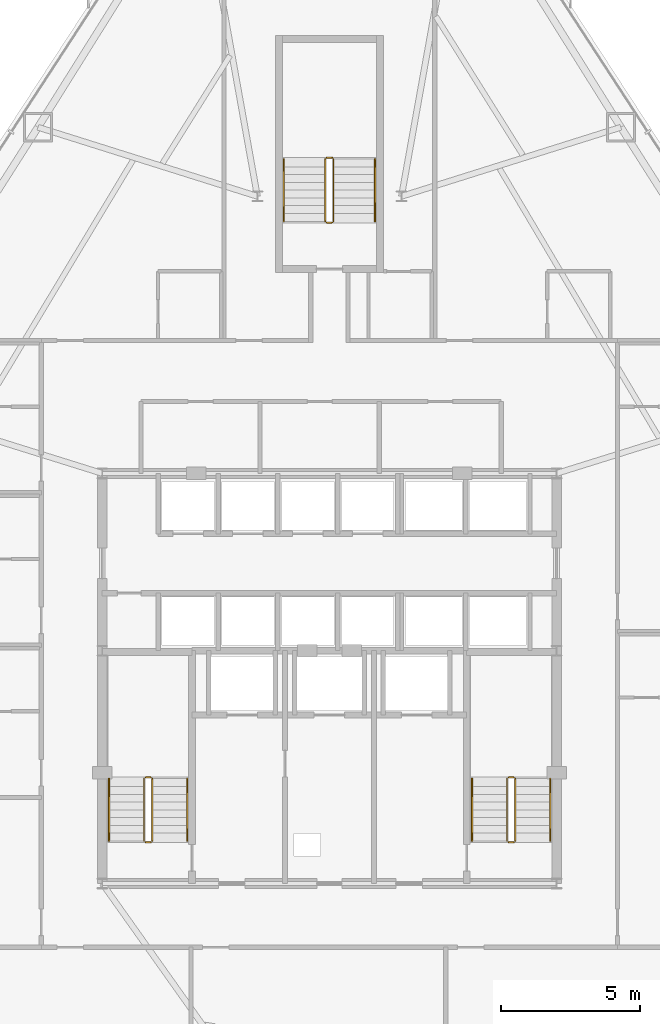
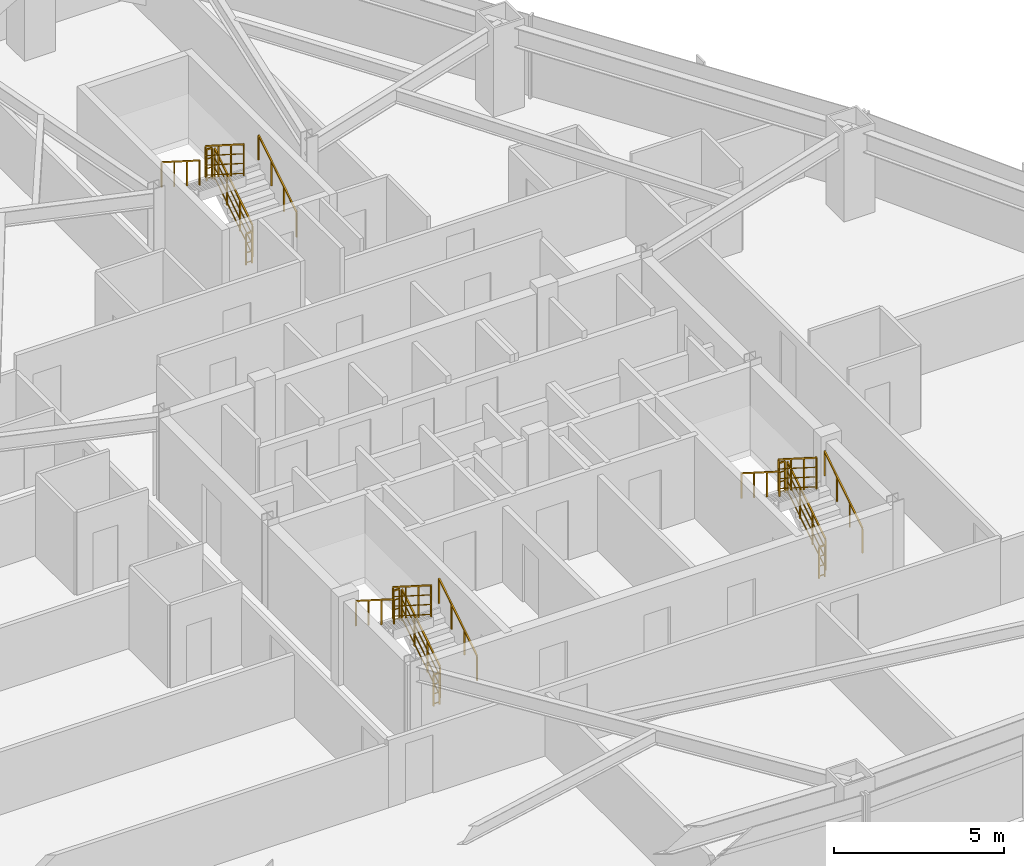
# One storey, part 12 of 12: 18 railings.
"""IFC4 building model written with IfcOpenShell, lengths in metres."""

from ifc_helpers import new_model, si_unit, direction, frame, origin, origin_2d, place, context, subcontext, project, spatial, rectangle, extrude, material, type_object, element, save


model = new_model("IFC4")

# Units and contexts
model_context = context("Model", 3, precision=1e-05, world=origin(), true_north=direction((0.0, 1.0)))
body_context = subcontext(model_context, "Body", "Model", "MODEL_VIEW")
ifc_project = project(units=[si_unit("LENGTHUNIT", "METRE"), si_unit("AREAUNIT", "SQUARE_METRE"), si_unit("VOLUMEUNIT", "CUBIC_METRE"), si_unit("PLANEANGLEUNIT", "RADIAN"), si_unit("MASSUNIT", "GRAM", prefix="KILO")], contexts=[model_context])

# Site, building, storey
site_placement = place(None, origin())
site = spatial("IfcSite", under=ifc_project, at=site_placement, CompositionType="ELEMENT")
building_placement = place(site_placement, origin())
building = spatial("IfcBuilding", under=site, at=building_placement, Name="Varakhsha Concourse Tower", CompositionType="ELEMENT")
storey_placement = place(building_placement, frame((0.0, 0.0, 73.39990234375)))
storey = spatial("IfcBuildingStorey", under=building, at=storey_placement, Name="L20", CompositionType="ELEMENT", Elevation=73.39990234375)

# Railings
ifc_material = material(Name="Brushed Austenitic Stainless Steel AISI 316", Category="steel")
railing_type_1 = type_object("IfcRailingType", Name="RL-STAIR-GUARD-1100", PredefinedType="GUARDRAIL", material=ifc_material)
railing_1_placement = place(storey_placement, frame((33.610107421875, 17.93994140625, 0.177978515625)))
element("IfcRailing", 1, at=railing_1_placement, inside=storey, type_object=railing_type_1, Name="L20 ST1 stair guard 1", PredefinedType="GUARDRAIL", context=body_context, shape_type="SweptSolid", body=[
    extrude(rectangle(XDim=0.048095703125, YDim=0.048095703125, at=origin_2d()), frame((0.0, 0.0, 1.1259765625), z_axis=(0.0, 0.8442293374, 0.53598211339), x_axis=(-1.0, 0.0, 0.0)), (0.0, 0.0, 1.0), 2.6533203125),
    extrude(rectangle(XDim=0.028076171875, YDim=0.028076171875, at=origin_2d()), frame((0.0, 0.0, 0.080078125), z_axis=(0.0, 0.8442293374, 0.53598211339), x_axis=(-1.0, 0.0, 0.0)), (0.0, 0.0, 1.0), 2.6533203125),
    extrude(rectangle(XDim=0.028076171875, YDim=0.028076171875, at=origin_2d()), frame((0.0, 0.0, 0.43701171875), z_axis=(0.0, 0.8442293374, 0.53598211339), x_axis=(-1.0, 0.0, 0.0)), (0.0, 0.0, 1.0), 2.6533203125),
    extrude(rectangle(XDim=0.028076171875, YDim=0.028076171875, at=origin_2d()), frame((0.0, 0.0, 0.781982421875), z_axis=(0.0, 0.8442293374, 0.53598211339), x_axis=(-1.0, 0.0, 0.0)), (0.0, 0.0, 1.0), 2.6533203125),
    extrude(rectangle(XDim=0.0419921875, YDim=0.0419921875, at=origin_2d()), origin(), (0.0, 0.0, 1.0), 1.101806640625),
    extrude(rectangle(XDim=0.0419921875, YDim=0.0419921875, at=origin_2d()), frame((0.0, 0.74658203125, 0.47412109375)), (0.0, 0.0, 1.0), 1.101806640625),
    extrude(rectangle(XDim=0.0419921875, YDim=0.0419921875, at=origin_2d()), frame((0.0, 1.493408203125, 0.947998046875)), (0.0, 0.0, 1.0), 1.101806640625),
    extrude(rectangle(XDim=0.0419921875, YDim=0.0419921875, at=origin_2d()), frame((0.0, 2.239990234375, 1.422119140625)), (0.0, 0.0, 1.0), 1.101806640625),
])
railing_2_placement = place(storey_placement, frame((33.56005859375, 20.22998046875, 1.60009765625)))
element("IfcRailing", 2, at=railing_2_placement, inside=storey, type_object=railing_type_1, Name="L20 ST1 stair guard 2", PredefinedType="GUARDRAIL", context=body_context, shape_type="SweptSolid", body=[
    extrude(rectangle(XDim=0.048095703125, YDim=0.048095703125, at=origin_2d()), frame((0.0, 0.0, 1.1259765625), z_axis=(-1.0, 0.0, 0.0), x_axis=(0.0, -1.0, 0.0)), (0.0, 0.0, 1.0), 0.199951171875),
    extrude(rectangle(XDim=0.028076171875, YDim=0.028076171875, at=origin_2d()), frame((0.0, 0.0, 0.080078125), z_axis=(-1.0, 0.0, 0.0), x_axis=(0.0, -1.0, 0.0)), (0.0, 0.0, 1.0), 0.199951171875),
    extrude(rectangle(XDim=0.028076171875, YDim=0.028076171875, at=origin_2d()), frame((0.0, 0.0, 0.43701171875), z_axis=(-1.0, 0.0, 0.0), x_axis=(0.0, -1.0, 0.0)), (0.0, 0.0, 1.0), 0.199951171875),
    extrude(rectangle(XDim=0.028076171875, YDim=0.028076171875, at=origin_2d()), frame((0.0, 0.0, 0.781982421875), z_axis=(-1.0, 0.0, 0.0), x_axis=(0.0, -1.0, 0.0)), (0.0, 0.0, 1.0), 0.199951171875),
    extrude(rectangle(XDim=0.0419921875, YDim=0.0419921875, at=origin_2d()), origin(), (0.0, 0.0, 1.0), 1.101806640625),
    extrude(rectangle(XDim=0.0419921875, YDim=0.0419921875, at=origin_2d()), frame((-0.199951171875, 0.0, 0.0)), (0.0, 0.0, 1.0), 1.101806640625),
])
railing_3_placement = place(storey_placement, frame((33.31005859375, 20.179931640625, 1.77783203125)))
element("IfcRailing", 3, at=railing_3_placement, inside=storey, type_object=railing_type_1, Name="L20 ST1 stair guard 3", PredefinedType="GUARDRAIL", context=body_context, shape_type="SweptSolid", body=[
    extrude(rectangle(XDim=0.048095703125, YDim=0.048095703125, at=origin_2d()), frame((0.0, 0.0, 1.1259765625), z_axis=(0.0, -0.84418770128, 0.536047689118), x_axis=(1.0, 0.0, 0.0)), (0.0, 0.0, 1.0), 2.6533203125),
    extrude(rectangle(XDim=0.028076171875, YDim=0.028076171875, at=origin_2d()), frame((0.0, 0.0, 0.080078125), z_axis=(0.0, -0.84418770128, 0.536047689118), x_axis=(1.0, 0.0, 0.0)), (0.0, 0.0, 1.0), 2.6533203125),
    extrude(rectangle(XDim=0.028076171875, YDim=0.028076171875, at=origin_2d()), frame((0.0, 0.0, 0.43701171875), z_axis=(0.0, -0.84418770128, 0.536047689118), x_axis=(1.0, 0.0, 0.0)), (0.0, 0.0, 1.0), 2.6533203125),
    extrude(rectangle(XDim=0.028076171875, YDim=0.028076171875, at=origin_2d()), frame((0.0, 0.0, 0.781982421875), z_axis=(0.0, -0.84418770128, 0.536047689118), x_axis=(1.0, 0.0, 0.0)), (0.0, 0.0, 1.0), 2.6533203125),
    extrude(rectangle(XDim=0.0419921875, YDim=0.0419921875, at=origin_2d()), origin(), (0.0, 0.0, 1.0), 1.101806640625),
    extrude(rectangle(XDim=0.0419921875, YDim=0.0419921875, at=origin_2d()), frame((0.0, -0.74658203125, 0.47412109375)), (0.0, 0.0, 1.0), 1.101806640625),
    extrude(rectangle(XDim=0.0419921875, YDim=0.0419921875, at=origin_2d()), frame((0.0, -1.493408203125, 0.9482421875)), (0.0, 0.0, 1.0), 1.101806640625),
    extrude(rectangle(XDim=0.0419921875, YDim=0.0419921875, at=origin_2d()), frame((0.0, -2.239990234375, 1.42236328125)), (0.0, 0.0, 1.0), 1.101806640625),
])
railing_4_placement = place(storey_placement, frame((33.56005859375, 17.889892578125, 0.0)))
element("IfcRailing", 4, at=railing_4_placement, inside=storey, type_object=railing_type_1, Name="L20 ST1 stair guard 4", PredefinedType="GUARDRAIL", context=body_context, shape_type="SweptSolid", body=[
    extrude(rectangle(XDim=0.048095703125, YDim=0.048095703125, at=origin_2d()), frame((0.0, 0.0, 1.1259765625), z_axis=(-1.0, 0.0, 0.0), x_axis=(0.0, -1.0, 0.0)), (0.0, 0.0, 1.0), 0.199951171875),
    extrude(rectangle(XDim=0.028076171875, YDim=0.028076171875, at=origin_2d()), frame((0.0, 0.0, 0.080078125), z_axis=(-1.0, 0.0, 0.0), x_axis=(0.0, -1.0, 0.0)), (0.0, 0.0, 1.0), 0.199951171875),
    extrude(rectangle(XDim=0.028076171875, YDim=0.028076171875, at=origin_2d()), frame((0.0, 0.0, 0.43701171875), z_axis=(-1.0, 0.0, 0.0), x_axis=(0.0, -1.0, 0.0)), (0.0, 0.0, 1.0), 0.199951171875),
    extrude(rectangle(XDim=0.028076171875, YDim=0.028076171875, at=origin_2d()), frame((0.0, 0.0, 0.781982421875), z_axis=(-1.0, 0.0, 0.0), x_axis=(0.0, -1.0, 0.0)), (0.0, 0.0, 1.0), 0.199951171875),
    extrude(rectangle(XDim=0.0419921875, YDim=0.0419921875, at=origin_2d()), origin(), (0.0, 0.0, 1.0), 1.101806640625),
    extrude(rectangle(XDim=0.0419921875, YDim=0.0419921875, at=origin_2d()), frame((-0.199951171875, 0.0, 0.0)), (0.0, 0.0, 1.0), 1.101806640625),
])
railing_5_placement = place(storey_placement, frame((46.7099609375, 17.93994140625, 0.177978515625)))
element("IfcRailing", 5, at=railing_5_placement, inside=storey, type_object=railing_type_1, Name="L20 ST2 stair guard 1", PredefinedType="GUARDRAIL", context=body_context, shape_type="SweptSolid", body=[
    extrude(rectangle(XDim=0.048095703125, YDim=0.048095703125, at=origin_2d()), frame((0.0, 0.0, 1.1259765625), z_axis=(0.0, 0.8442293374, 0.53598211339), x_axis=(-1.0, 0.0, 0.0)), (0.0, 0.0, 1.0), 2.6533203125),
    extrude(rectangle(XDim=0.028076171875, YDim=0.028076171875, at=origin_2d()), frame((0.0, 0.0, 0.080078125), z_axis=(0.0, 0.8442293374, 0.53598211339), x_axis=(-1.0, 0.0, 0.0)), (0.0, 0.0, 1.0), 2.6533203125),
    extrude(rectangle(XDim=0.028076171875, YDim=0.028076171875, at=origin_2d()), frame((0.0, 0.0, 0.43701171875), z_axis=(0.0, 0.8442293374, 0.53598211339), x_axis=(-1.0, 0.0, 0.0)), (0.0, 0.0, 1.0), 2.6533203125),
    extrude(rectangle(XDim=0.028076171875, YDim=0.028076171875, at=origin_2d()), frame((0.0, 0.0, 0.781982421875), z_axis=(0.0, 0.8442293374, 0.53598211339), x_axis=(-1.0, 0.0, 0.0)), (0.0, 0.0, 1.0), 2.6533203125),
    extrude(rectangle(XDim=0.0419921875, YDim=0.0419921875, at=origin_2d()), origin(), (0.0, 0.0, 1.0), 1.101806640625),
    extrude(rectangle(XDim=0.0419921875, YDim=0.0419921875, at=origin_2d()), frame((0.0, 0.74658203125, 0.47412109375)), (0.0, 0.0, 1.0), 1.101806640625),
    extrude(rectangle(XDim=0.0419921875, YDim=0.0419921875, at=origin_2d()), frame((0.0, 1.493408203125, 0.947998046875)), (0.0, 0.0, 1.0), 1.101806640625),
    extrude(rectangle(XDim=0.0419921875, YDim=0.0419921875, at=origin_2d()), frame((0.0, 2.239990234375, 1.422119140625)), (0.0, 0.0, 1.0), 1.101806640625),
])
railing_6_placement = place(storey_placement, frame((46.659912109375, 20.22998046875, 1.60009765625)))
element("IfcRailing", 6, at=railing_6_placement, inside=storey, type_object=railing_type_1, Name="L20 ST2 stair guard 2", PredefinedType="GUARDRAIL", context=body_context, shape_type="SweptSolid", body=[
    extrude(rectangle(XDim=0.048095703125, YDim=0.048095703125, at=origin_2d()), frame((0.0, 0.0, 1.1259765625), z_axis=(-1.0, 0.0, 0.0), x_axis=(0.0, -1.0, 0.0)), (0.0, 0.0, 1.0), 0.199951171875),
    extrude(rectangle(XDim=0.028076171875, YDim=0.028076171875, at=origin_2d()), frame((0.0, 0.0, 0.080078125), z_axis=(-1.0, 0.0, 0.0), x_axis=(0.0, -1.0, 0.0)), (0.0, 0.0, 1.0), 0.199951171875),
    extrude(rectangle(XDim=0.028076171875, YDim=0.028076171875, at=origin_2d()), frame((0.0, 0.0, 0.43701171875), z_axis=(-1.0, 0.0, 0.0), x_axis=(0.0, -1.0, 0.0)), (0.0, 0.0, 1.0), 0.199951171875),
    extrude(rectangle(XDim=0.028076171875, YDim=0.028076171875, at=origin_2d()), frame((0.0, 0.0, 0.781982421875), z_axis=(-1.0, 0.0, 0.0), x_axis=(0.0, -1.0, 0.0)), (0.0, 0.0, 1.0), 0.199951171875),
    extrude(rectangle(XDim=0.0419921875, YDim=0.0419921875, at=origin_2d()), origin(), (0.0, 0.0, 1.0), 1.101806640625),
    extrude(rectangle(XDim=0.0419921875, YDim=0.0419921875, at=origin_2d()), frame((-0.199951171875, 0.0, 0.0)), (0.0, 0.0, 1.0), 1.101806640625),
])
railing_7_placement = place(storey_placement, frame((46.409912109375, 20.179931640625, 1.77783203125)))
element("IfcRailing", 7, at=railing_7_placement, inside=storey, type_object=railing_type_1, Name="L20 ST2 stair guard 3", PredefinedType="GUARDRAIL", context=body_context, shape_type="SweptSolid", body=[
    extrude(rectangle(XDim=0.048095703125, YDim=0.048095703125, at=origin_2d()), frame((0.0, 0.0, 1.1259765625), z_axis=(0.0, -0.84418770128, 0.536047689118), x_axis=(1.0, 0.0, 0.0)), (0.0, 0.0, 1.0), 2.6533203125),
    extrude(rectangle(XDim=0.028076171875, YDim=0.028076171875, at=origin_2d()), frame((0.0, 0.0, 0.080078125), z_axis=(0.0, -0.84418770128, 0.536047689118), x_axis=(1.0, 0.0, 0.0)), (0.0, 0.0, 1.0), 2.6533203125),
    extrude(rectangle(XDim=0.028076171875, YDim=0.028076171875, at=origin_2d()), frame((0.0, 0.0, 0.43701171875), z_axis=(0.0, -0.84418770128, 0.536047689118), x_axis=(1.0, 0.0, 0.0)), (0.0, 0.0, 1.0), 2.6533203125),
    extrude(rectangle(XDim=0.028076171875, YDim=0.028076171875, at=origin_2d()), frame((0.0, 0.0, 0.781982421875), z_axis=(0.0, -0.84418770128, 0.536047689118), x_axis=(1.0, 0.0, 0.0)), (0.0, 0.0, 1.0), 2.6533203125),
    extrude(rectangle(XDim=0.0419921875, YDim=0.0419921875, at=origin_2d()), origin(), (0.0, 0.0, 1.0), 1.101806640625),
    extrude(rectangle(XDim=0.0419921875, YDim=0.0419921875, at=origin_2d()), frame((0.0, -0.74658203125, 0.47412109375)), (0.0, 0.0, 1.0), 1.101806640625),
    extrude(rectangle(XDim=0.0419921875, YDim=0.0419921875, at=origin_2d()), frame((0.0, -1.493408203125, 0.9482421875)), (0.0, 0.0, 1.0), 1.101806640625),
    extrude(rectangle(XDim=0.0419921875, YDim=0.0419921875, at=origin_2d()), frame((0.0, -2.239990234375, 1.42236328125)), (0.0, 0.0, 1.0), 1.101806640625),
])
railing_8_placement = place(storey_placement, frame((46.659912109375, 17.889892578125, 0.0)))
element("IfcRailing", 8, at=railing_8_placement, inside=storey, type_object=railing_type_1, Name="L20 ST2 stair guard 4", PredefinedType="GUARDRAIL", context=body_context, shape_type="SweptSolid", body=[
    extrude(rectangle(XDim=0.048095703125, YDim=0.048095703125, at=origin_2d()), frame((0.0, 0.0, 1.1259765625), z_axis=(-1.0, 0.0, 0.0), x_axis=(0.0, -1.0, 0.0)), (0.0, 0.0, 1.0), 0.199951171875),
    extrude(rectangle(XDim=0.028076171875, YDim=0.028076171875, at=origin_2d()), frame((0.0, 0.0, 0.080078125), z_axis=(-1.0, 0.0, 0.0), x_axis=(0.0, -1.0, 0.0)), (0.0, 0.0, 1.0), 0.199951171875),
    extrude(rectangle(XDim=0.028076171875, YDim=0.028076171875, at=origin_2d()), frame((0.0, 0.0, 0.43701171875), z_axis=(-1.0, 0.0, 0.0), x_axis=(0.0, -1.0, 0.0)), (0.0, 0.0, 1.0), 0.199951171875),
    extrude(rectangle(XDim=0.028076171875, YDim=0.028076171875, at=origin_2d()), frame((0.0, 0.0, 0.781982421875), z_axis=(-1.0, 0.0, 0.0), x_axis=(0.0, -1.0, 0.0)), (0.0, 0.0, 1.0), 0.199951171875),
    extrude(rectangle(XDim=0.0419921875, YDim=0.0419921875, at=origin_2d()), origin(), (0.0, 0.0, 1.0), 1.101806640625),
    extrude(rectangle(XDim=0.0419921875, YDim=0.0419921875, at=origin_2d()), frame((-0.199951171875, 0.0, 0.0)), (0.0, 0.0, 1.0), 1.101806640625),
])
railing_9_placement = place(storey_placement, frame((40.14990234375, 40.300048828125, 0.177978515625)))
element("IfcRailing", 9, at=railing_9_placement, inside=storey, type_object=railing_type_1, Name="L20 ST5 stair guard 1", PredefinedType="GUARDRAIL", context=body_context, shape_type="SweptSolid", body=[
    extrude(rectangle(XDim=0.048095703125, YDim=0.048095703125, at=origin_2d()), frame((0.0, 0.0, 1.1259765625), z_axis=(0.0, 0.8442293374, 0.53598211339), x_axis=(-1.0, 0.0, 0.0)), (0.0, 0.0, 1.0), 2.6533203125),
    extrude(rectangle(XDim=0.028076171875, YDim=0.028076171875, at=origin_2d()), frame((0.0, 0.0, 0.080078125), z_axis=(0.0, 0.8442293374, 0.53598211339), x_axis=(-1.0, 0.0, 0.0)), (0.0, 0.0, 1.0), 2.6533203125),
    extrude(rectangle(XDim=0.028076171875, YDim=0.028076171875, at=origin_2d()), frame((0.0, 0.0, 0.43701171875), z_axis=(0.0, 0.8442293374, 0.53598211339), x_axis=(-1.0, 0.0, 0.0)), (0.0, 0.0, 1.0), 2.6533203125),
    extrude(rectangle(XDim=0.028076171875, YDim=0.028076171875, at=origin_2d()), frame((0.0, 0.0, 0.781982421875), z_axis=(0.0, 0.8442293374, 0.53598211339), x_axis=(-1.0, 0.0, 0.0)), (0.0, 0.0, 1.0), 2.6533203125),
    extrude(rectangle(XDim=0.0419921875, YDim=0.0419921875, at=origin_2d()), origin(), (0.0, 0.0, 1.0), 1.101806640625),
    extrude(rectangle(XDim=0.0419921875, YDim=0.0419921875, at=origin_2d()), frame((0.0, 0.74658203125, 0.47412109375)), (0.0, 0.0, 1.0), 1.101806640625),
    extrude(rectangle(XDim=0.0419921875, YDim=0.0419921875, at=origin_2d()), frame((0.0, 1.493408203125, 0.947998046875)), (0.0, 0.0, 1.0), 1.101806640625),
    extrude(rectangle(XDim=0.0419921875, YDim=0.0419921875, at=origin_2d()), frame((0.0, 2.239990234375, 1.422119140625)), (0.0, 0.0, 1.0), 1.101806640625),
])
railing_10_placement = place(storey_placement, frame((40.10009765625, 42.590087890625, 1.60009765625)))
element("IfcRailing", 10, at=railing_10_placement, inside=storey, type_object=railing_type_1, Name="L20 ST5 stair guard 2", PredefinedType="GUARDRAIL", context=body_context, shape_type="SweptSolid", body=[
    extrude(rectangle(XDim=0.048095703125, YDim=0.048095703125, at=origin_2d()), frame((0.0, 0.0, 1.1259765625), z_axis=(-1.0, 0.0, 0.0), x_axis=(0.0, -1.0, 0.0)), (0.0, 0.0, 1.0), 0.2001953125),
    extrude(rectangle(XDim=0.028076171875, YDim=0.028076171875, at=origin_2d()), frame((0.0, 0.0, 0.080078125), z_axis=(-1.0, 0.0, 0.0), x_axis=(0.0, -1.0, 0.0)), (0.0, 0.0, 1.0), 0.2001953125),
    extrude(rectangle(XDim=0.028076171875, YDim=0.028076171875, at=origin_2d()), frame((0.0, 0.0, 0.43701171875), z_axis=(-1.0, 0.0, 0.0), x_axis=(0.0, -1.0, 0.0)), (0.0, 0.0, 1.0), 0.2001953125),
    extrude(rectangle(XDim=0.028076171875, YDim=0.028076171875, at=origin_2d()), frame((0.0, 0.0, 0.781982421875), z_axis=(-1.0, 0.0, 0.0), x_axis=(0.0, -1.0, 0.0)), (0.0, 0.0, 1.0), 0.2001953125),
    extrude(rectangle(XDim=0.0419921875, YDim=0.0419921875, at=origin_2d()), origin(), (0.0, 0.0, 1.0), 1.101806640625),
    extrude(rectangle(XDim=0.0419921875, YDim=0.0419921875, at=origin_2d()), frame((-0.2001953125, 0.0, 0.0)), (0.0, 0.0, 1.0), 1.101806640625),
])
railing_11_placement = place(storey_placement, frame((39.85009765625, 42.5400390625, 1.77783203125)))
element("IfcRailing", 11, at=railing_11_placement, inside=storey, type_object=railing_type_1, Name="L20 ST5 stair guard 3", PredefinedType="GUARDRAIL", context=body_context, shape_type="SweptSolid", body=[
    extrude(rectangle(XDim=0.048095703125, YDim=0.048095703125, at=origin_2d()), frame((0.0, 0.0, 1.1259765625), z_axis=(0.0, -0.84418770128, 0.536047689118), x_axis=(1.0, 0.0, 0.0)), (0.0, 0.0, 1.0), 2.6533203125),
    extrude(rectangle(XDim=0.028076171875, YDim=0.028076171875, at=origin_2d()), frame((0.0, 0.0, 0.080078125), z_axis=(0.0, -0.84418770128, 0.536047689118), x_axis=(1.0, 0.0, 0.0)), (0.0, 0.0, 1.0), 2.6533203125),
    extrude(rectangle(XDim=0.028076171875, YDim=0.028076171875, at=origin_2d()), frame((0.0, 0.0, 0.43701171875), z_axis=(0.0, -0.84418770128, 0.536047689118), x_axis=(1.0, 0.0, 0.0)), (0.0, 0.0, 1.0), 2.6533203125),
    extrude(rectangle(XDim=0.028076171875, YDim=0.028076171875, at=origin_2d()), frame((0.0, 0.0, 0.781982421875), z_axis=(0.0, -0.84418770128, 0.536047689118), x_axis=(1.0, 0.0, 0.0)), (0.0, 0.0, 1.0), 2.6533203125),
    extrude(rectangle(XDim=0.0419921875, YDim=0.0419921875, at=origin_2d()), origin(), (0.0, 0.0, 1.0), 1.101806640625),
    extrude(rectangle(XDim=0.0419921875, YDim=0.0419921875, at=origin_2d()), frame((0.0, -0.74658203125, 0.47412109375)), (0.0, 0.0, 1.0), 1.101806640625),
    extrude(rectangle(XDim=0.0419921875, YDim=0.0419921875, at=origin_2d()), frame((0.0, -1.493408203125, 0.9482421875)), (0.0, 0.0, 1.0), 1.101806640625),
    extrude(rectangle(XDim=0.0419921875, YDim=0.0419921875, at=origin_2d()), frame((0.0, -2.239990234375, 1.42236328125)), (0.0, 0.0, 1.0), 1.101806640625),
])
railing_12_placement = place(storey_placement, frame((40.10009765625, 40.25, 0.0)))
element("IfcRailing", 12, at=railing_12_placement, inside=storey, type_object=railing_type_1, Name="L20 ST5 stair guard 4", PredefinedType="GUARDRAIL", context=body_context, shape_type="SweptSolid", body=[
    extrude(rectangle(XDim=0.048095703125, YDim=0.048095703125, at=origin_2d()), frame((0.0, 0.0, 1.1259765625), z_axis=(-1.0, 0.0, 0.0), x_axis=(0.0, -1.0, 0.0)), (0.0, 0.0, 1.0), 0.2001953125),
    extrude(rectangle(XDim=0.028076171875, YDim=0.028076171875, at=origin_2d()), frame((0.0, 0.0, 0.080078125), z_axis=(-1.0, 0.0, 0.0), x_axis=(0.0, -1.0, 0.0)), (0.0, 0.0, 1.0), 0.2001953125),
    extrude(rectangle(XDim=0.028076171875, YDim=0.028076171875, at=origin_2d()), frame((0.0, 0.0, 0.43701171875), z_axis=(-1.0, 0.0, 0.0), x_axis=(0.0, -1.0, 0.0)), (0.0, 0.0, 1.0), 0.2001953125),
    extrude(rectangle(XDim=0.028076171875, YDim=0.028076171875, at=origin_2d()), frame((0.0, 0.0, 0.781982421875), z_axis=(-1.0, 0.0, 0.0), x_axis=(0.0, -1.0, 0.0)), (0.0, 0.0, 1.0), 0.2001953125),
    extrude(rectangle(XDim=0.0419921875, YDim=0.0419921875, at=origin_2d()), origin(), (0.0, 0.0, 1.0), 1.101806640625),
    extrude(rectangle(XDim=0.0419921875, YDim=0.0419921875, at=origin_2d()), frame((-0.2001953125, 0.0, 0.0)), (0.0, 0.0, 1.0), 1.101806640625),
])
railing_type_2 = type_object("IfcRailingType", Name="RL-STAIR-RAIL-915", PredefinedType="HANDRAIL", material=ifc_material)
railing_13_placement = place(storey_placement, frame((34.8701171875, 17.93994140625, 0.355712890625)))
element("IfcRailing", 13, at=railing_13_placement, inside=storey, type_object=railing_type_2, Name="L20 ST1 stair handrail 1", PredefinedType="HANDRAIL", context=body_context, shape_type="SweptSolid", body=[
    extrude(rectangle(XDim=0.048095703125, YDim=0.048095703125, at=origin_2d()), frame((0.0, 0.0, 0.89111328125), z_axis=(0.0, 0.8442293374, 0.53598211339), x_axis=(-1.0, 0.0, 0.0)), (0.0, 0.0, 1.0), 2.6533203125),
    extrude(rectangle(XDim=0.0419921875, YDim=0.0419921875, at=origin_2d()), origin(), (0.0, 0.0, 1.0), 0.866943359375),
    extrude(rectangle(XDim=0.0419921875, YDim=0.0419921875, at=origin_2d()), frame((0.0, 0.74658203125, 0.47412109375)), (0.0, 0.0, 1.0), 0.866943359375),
    extrude(rectangle(XDim=0.0419921875, YDim=0.0419921875, at=origin_2d()), frame((0.0, 1.493408203125, 0.947998046875)), (0.0, 0.0, 1.0), 0.866943359375),
    extrude(rectangle(XDim=0.0419921875, YDim=0.0419921875, at=origin_2d()), frame((0.0, 2.239990234375, 1.422119140625)), (0.0, 0.0, 1.0), 0.866943359375),
])
railing_14_placement = place(storey_placement, frame((32.050048828125, 20.179931640625, 1.95556640625)))
element("IfcRailing", 14, at=railing_14_placement, inside=storey, type_object=railing_type_2, Name="L20 ST1 stair handrail 2", PredefinedType="HANDRAIL", context=body_context, shape_type="SweptSolid", body=[
    extrude(rectangle(XDim=0.048095703125, YDim=0.048095703125, at=origin_2d()), frame((0.0, 0.0, 0.89111328125), z_axis=(0.0, -0.84418770128, 0.536047689118), x_axis=(1.0, 0.0, 0.0)), (0.0, 0.0, 1.0), 2.6533203125),
    extrude(rectangle(XDim=0.0419921875, YDim=0.0419921875, at=origin_2d()), origin(), (0.0, 0.0, 1.0), 0.866943359375),
    extrude(rectangle(XDim=0.0419921875, YDim=0.0419921875, at=origin_2d()), frame((0.0, -0.74658203125, 0.47412109375)), (0.0, 0.0, 1.0), 0.866943359375),
    extrude(rectangle(XDim=0.0419921875, YDim=0.0419921875, at=origin_2d()), frame((0.0, -1.493408203125, 0.9482421875)), (0.0, 0.0, 1.0), 0.866943359375),
    extrude(rectangle(XDim=0.0419921875, YDim=0.0419921875, at=origin_2d()), frame((0.0, -2.239990234375, 1.42236328125)), (0.0, 0.0, 1.0), 0.866943359375),
])
railing_15_placement = place(storey_placement, frame((47.969970703125, 17.93994140625, 0.355712890625)))
element("IfcRailing", 15, at=railing_15_placement, inside=storey, type_object=railing_type_2, Name="L20 ST2 stair handrail 1", PredefinedType="HANDRAIL", context=body_context, shape_type="SweptSolid", body=[
    extrude(rectangle(XDim=0.048095703125, YDim=0.048095703125, at=origin_2d()), frame((0.0, 0.0, 0.89111328125), z_axis=(0.0, 0.8442293374, 0.53598211339), x_axis=(-1.0, 0.0, 0.0)), (0.0, 0.0, 1.0), 2.6533203125),
    extrude(rectangle(XDim=0.0419921875, YDim=0.0419921875, at=origin_2d()), origin(), (0.0, 0.0, 1.0), 0.866943359375),
    extrude(rectangle(XDim=0.0419921875, YDim=0.0419921875, at=origin_2d()), frame((0.0, 0.74658203125, 0.47412109375)), (0.0, 0.0, 1.0), 0.866943359375),
    extrude(rectangle(XDim=0.0419921875, YDim=0.0419921875, at=origin_2d()), frame((0.0, 1.493408203125, 0.947998046875)), (0.0, 0.0, 1.0), 0.866943359375),
    extrude(rectangle(XDim=0.0419921875, YDim=0.0419921875, at=origin_2d()), frame((0.0, 2.239990234375, 1.422119140625)), (0.0, 0.0, 1.0), 0.866943359375),
])
railing_16_placement = place(storey_placement, frame((45.14990234375, 20.179931640625, 1.95556640625)))
element("IfcRailing", 16, at=railing_16_placement, inside=storey, type_object=railing_type_2, Name="L20 ST2 stair handrail 2", PredefinedType="HANDRAIL", context=body_context, shape_type="SweptSolid", body=[
    extrude(rectangle(XDim=0.048095703125, YDim=0.048095703125, at=origin_2d()), frame((0.0, 0.0, 0.89111328125), z_axis=(0.0, -0.84418770128, 0.536047689118), x_axis=(1.0, 0.0, 0.0)), (0.0, 0.0, 1.0), 2.6533203125),
    extrude(rectangle(XDim=0.0419921875, YDim=0.0419921875, at=origin_2d()), origin(), (0.0, 0.0, 1.0), 0.866943359375),
    extrude(rectangle(XDim=0.0419921875, YDim=0.0419921875, at=origin_2d()), frame((0.0, -0.74658203125, 0.47412109375)), (0.0, 0.0, 1.0), 0.866943359375),
    extrude(rectangle(XDim=0.0419921875, YDim=0.0419921875, at=origin_2d()), frame((0.0, -1.493408203125, 0.9482421875)), (0.0, 0.0, 1.0), 0.866943359375),
    extrude(rectangle(XDim=0.0419921875, YDim=0.0419921875, at=origin_2d()), frame((0.0, -2.239990234375, 1.42236328125)), (0.0, 0.0, 1.0), 0.866943359375),
])
railing_17_placement = place(storey_placement, frame((41.64990234375, 40.300048828125, 0.355712890625)))
element("IfcRailing", 17, at=railing_17_placement, inside=storey, type_object=railing_type_2, Name="L20 ST5 stair handrail 1", PredefinedType="HANDRAIL", context=body_context, shape_type="SweptSolid", body=[
    extrude(rectangle(XDim=0.048095703125, YDim=0.048095703125, at=origin_2d()), frame((0.0, 0.0, 0.89111328125), z_axis=(0.0, 0.8442293374, 0.53598211339), x_axis=(-1.0, 0.0, 0.0)), (0.0, 0.0, 1.0), 2.6533203125),
    extrude(rectangle(XDim=0.0419921875, YDim=0.0419921875, at=origin_2d()), origin(), (0.0, 0.0, 1.0), 0.866943359375),
    extrude(rectangle(XDim=0.0419921875, YDim=0.0419921875, at=origin_2d()), frame((0.0, 0.74658203125, 0.47412109375)), (0.0, 0.0, 1.0), 0.866943359375),
    extrude(rectangle(XDim=0.0419921875, YDim=0.0419921875, at=origin_2d()), frame((0.0, 1.493408203125, 0.947998046875)), (0.0, 0.0, 1.0), 0.866943359375),
    extrude(rectangle(XDim=0.0419921875, YDim=0.0419921875, at=origin_2d()), frame((0.0, 2.239990234375, 1.422119140625)), (0.0, 0.0, 1.0), 0.866943359375),
])
railing_18_placement = place(storey_placement, frame((38.35009765625, 42.5400390625, 1.95556640625)))
element("IfcRailing", 18, at=railing_18_placement, inside=storey, type_object=railing_type_2, Name="L20 ST5 stair handrail 2", PredefinedType="HANDRAIL", context=body_context, shape_type="SweptSolid", body=[
    extrude(rectangle(XDim=0.048095703125, YDim=0.048095703125, at=origin_2d()), frame((0.0, 0.0, 0.89111328125), z_axis=(0.0, -0.84418770128, 0.536047689118), x_axis=(1.0, 0.0, 0.0)), (0.0, 0.0, 1.0), 2.6533203125),
    extrude(rectangle(XDim=0.0419921875, YDim=0.0419921875, at=origin_2d()), origin(), (0.0, 0.0, 1.0), 0.866943359375),
    extrude(rectangle(XDim=0.0419921875, YDim=0.0419921875, at=origin_2d()), frame((0.0, -0.74658203125, 0.47412109375)), (0.0, 0.0, 1.0), 0.866943359375),
    extrude(rectangle(XDim=0.0419921875, YDim=0.0419921875, at=origin_2d()), frame((0.0, -1.493408203125, 0.9482421875)), (0.0, 0.0, 1.0), 0.866943359375),
    extrude(rectangle(XDim=0.0419921875, YDim=0.0419921875, at=origin_2d()), frame((0.0, -2.239990234375, 1.42236328125)), (0.0, 0.0, 1.0), 0.866943359375),
])

save(model, "model.ifc")
